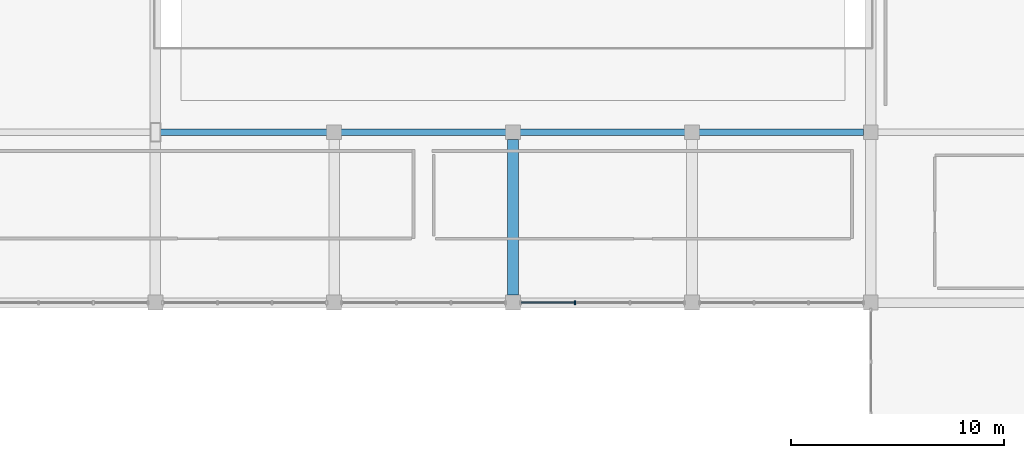
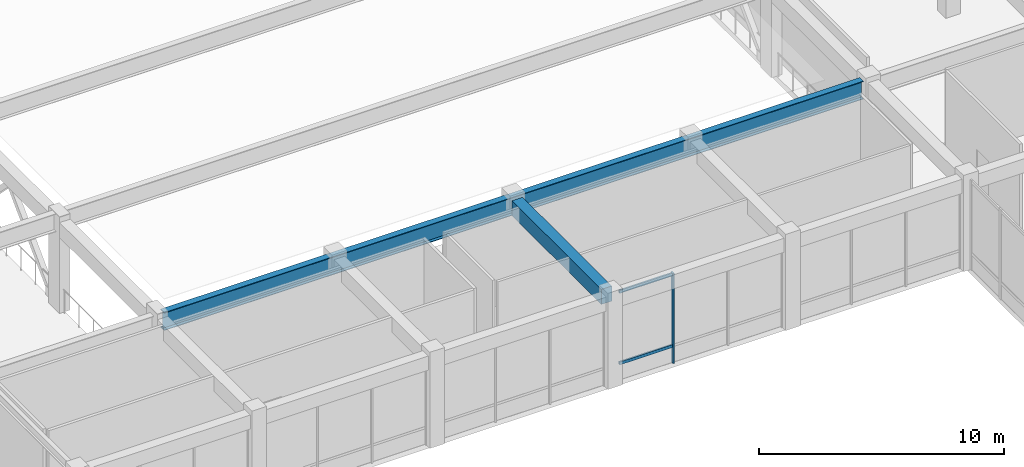
# One storey, part 33 of 76: 3 members, 2 beams, 1 element without a shape of its own.
"""IFC4 building model written with IfcOpenShell, lengths in metres."""

from ifc_helpers import new_model, si_unit, direction, frame, origin, origin_2d, place, context, subcontext, project, spatial, rectangle, i_section, extrude, material, layer, layer_set, material_profile, profile_set, type_object, element, aggregate, save


model = new_model("IFC4")

# Units and contexts
model_context = context("Model", 3, precision=1e-05, world=origin(), true_north=direction((0.0, 1.0)))
body_context = subcontext(model_context, "Body", "Model", "MODEL_VIEW")
ifc_project = project(units=[si_unit("LENGTHUNIT", "METRE"), si_unit("AREAUNIT", "SQUARE_METRE"), si_unit("VOLUMEUNIT", "CUBIC_METRE"), si_unit("PLANEANGLEUNIT", "RADIAN"), si_unit("MASSUNIT", "GRAM", prefix="KILO")], contexts=[model_context])

# Site, building, storey
site_placement = place(None, origin())
site = spatial("IfcSite", under=ifc_project, at=site_placement, CompositionType="ELEMENT")
building_placement = place(site_placement, origin())
building = spatial("IfcBuilding", under=site, at=building_placement, Name="Naruveol Harbour Congress Hotel", CompositionType="ELEMENT")
storey_placement = place(building_placement, frame((0.0, 0.0, 11.39990234375)))
storey = spatial("IfcBuildingStorey", under=building, at=storey_placement, Name="L02", CompositionType="ELEMENT", Elevation=11.39990234375)

# Beams
ifc_material_1 = material(Name="Concrete C40/50", Category="concrete")
ifc_material_profile_1 = material_profile(ifc_material_1, rectangle(XDim=0.5, YDim=0.75, at=origin_2d()), Name="RCB-500x750")
ifc_profile_set_1 = profile_set([ifc_material_profile_1], Name="Concrete C40/50")
beam_type_1 = type_object("IfcBeamType", Name="RC FLOOR GIRDER 500X750", PredefinedType="BEAM", material=ifc_profile_set_1)
beam_1_placement = place(storey_placement, frame((92.39990234375, 64.345947265625, 4.1650390625), z_axis=(0.0, 1.0, 0.0), x_axis=(-1.0, 0.0, 0.0)))
element("IfcBeam", 1, at=beam_1_placement, inside=storey, type_object=beam_type_1, Name="Transverse girder L03 CB3", PredefinedType="BEAM", context=body_context, shape_type="SweptSolid", body=[
    extrude(rectangle(XDim=0.5, YDim=0.75, at=origin_2d()), origin(), (0.0, 0.0, 1.0), 7.30810546875),
])
ifc_material_2 = material(Name="Steel SN490", Category="steel")
ifc_material_profile_2 = material_profile(ifc_material_2, i_section(OverallWidth=0.300048828125, OverallDepth=0.89990234375, WebThickness=0.01611328125, FlangeThickness=0.028076171875, at=origin_2d()), Name="H-900x300x16x28")
ifc_profile_set_2 = profile_set([ifc_material_profile_2], Name="Steel SN490")
beam_type_2 = type_object("IfcBeamType", Name="STEEL BALLROOM GABLE GIRDER H900", PredefinedType="BEAM", material=ifc_profile_set_2)
beam_2_placement = place(storey_placement, frame((75.845947265625, 72.0, 4.090087890625), z_axis=(1.0, 0.0, 0.0), x_axis=(0.0, 1.0, 0.0)))
element("IfcBeam", 2, at=beam_2_placement, inside=storey, type_object=beam_type_2, Name="Ballroom main tie girder BG1", PredefinedType="BEAM", context=body_context, shape_type="SweptSolid", body=[
    extrude(i_section(OverallWidth=0.300048828125, OverallDepth=0.89990234375, WebThickness=0.01611328125, FlangeThickness=0.028076171875, at=origin_2d()), origin(), (0.0, 0.0, 1.0), 33.008056640625),
])

# Curtain wall, members
ifc_material_3 = material(Name="Low-E Curtain Wall System", Category="glass")
ifc_layer = layer(ifc_material_3, 0.179931640625)
ifc_layer_set = layer_set([ifc_layer], Name="Low-E Curtain Wall System")
curtain_wall_type = type_object("IfcCurtainWallType", Name="UNITISED CURTAIN WALL CW-CTN-41 7700X4500", PredefinedType="USERDEFINED", material=ifc_layer_set)
curtain_wall_placement = place(storey_placement, origin())
curtain_wall = element("IfcCurtainWall", 3, at=curtain_wall_placement, inside=storey, type_object=curtain_wall_type, Name="Unitised curtain wall CW-CTN-41 L02", ObjectType="UNITISED GLAZING", PredefinedType="USERDEFINED")
ifc_material_4 = material(Name="Anodised Aluminium 6063-T6", Category="aluminium")
ifc_material_profile_3 = material_profile(ifc_material_4, rectangle(XDim=0.074951171875, YDim=0.179931640625, at=origin_2d()), Name="ALU-75x180")
ifc_profile_set_3 = profile_set([ifc_material_profile_3], Name="Anodised Aluminium 6063-T6")
member_type_1 = type_object("IfcMemberType", Name="THERMAL ALUMINIUM MULLION 75X180", PredefinedType="MULLION", material=ifc_profile_set_3)
member_1_placement = place(storey_placement, frame((95.316650390625, 64.0, 0.0), z_axis=(0.0, 0.0, 1.0), x_axis=(1.0, 0.0, 0.0)))
member_1 = element("IfcMember", 4, at=member_1_placement, type_object=member_type_1, Name="Curtain wall mullion CW-L02-0110-M2", PredefinedType="MULLION", context=body_context, shape_type="SweptSolid", body=[
    extrude(rectangle(XDim=0.074951171875, YDim=0.179931640625, at=origin_2d()), origin(), (0.0, 0.0, 1.0), 4.5),
])
ifc_material_5 = material(Name="Anodised Aluminium 6063-T6", Category="aluminium")
ifc_material_profile_4 = material_profile(ifc_material_5, rectangle(XDim=0.074951171875, YDim=0.14990234375, at=origin_2d()), Name="ALU-75x150")
ifc_profile_set_4 = profile_set([ifc_material_profile_4], Name="Anodised Aluminium 6063-T6")
member_type_2 = type_object("IfcMemberType", Name="THERMAL ALUMINIUM TRANSOM 75X150", PredefinedType="USERDEFINED", material=ifc_profile_set_4)
member_2_placement = place(storey_placement, frame((95.276611328125, 64.0, 0.85009765625), z_axis=(-1.0, 0.0, 0.0), x_axis=(0.0, -1.0, 0.0)))
member_2 = element("IfcMember", 5, at=member_2_placement, type_object=member_type_2, Name="Curtain wall transom CW-L02-0110-T2.1", ObjectType="TRANSOM", PredefinedType="USERDEFINED", context=body_context, shape_type="SweptSolid", body=[
    extrude(rectangle(XDim=0.074951171875, YDim=0.14990234375, at=origin_2d()), origin(), (0.0, 0.0, 1.0), 2.486572265625),
])
member_3_placement = place(storey_placement, frame((95.276611328125, 64.0, 4.420166015625), z_axis=(-1.0, 0.0, 0.0), x_axis=(0.0, -1.0, 0.0)))
member_3 = element("IfcMember", 6, at=member_3_placement, type_object=member_type_2, Name="Curtain wall transom CW-L02-0110-T2.2", ObjectType="TRANSOM", PredefinedType="USERDEFINED", context=body_context, shape_type="SweptSolid", body=[
    extrude(rectangle(XDim=0.074951171875, YDim=0.14990234375, at=origin_2d()), origin(), (0.0, 0.0, 1.0), 2.486572265625),
])
aggregate(curtain_wall, [member_1, member_2, member_3])

save(model, "model.ifc")
